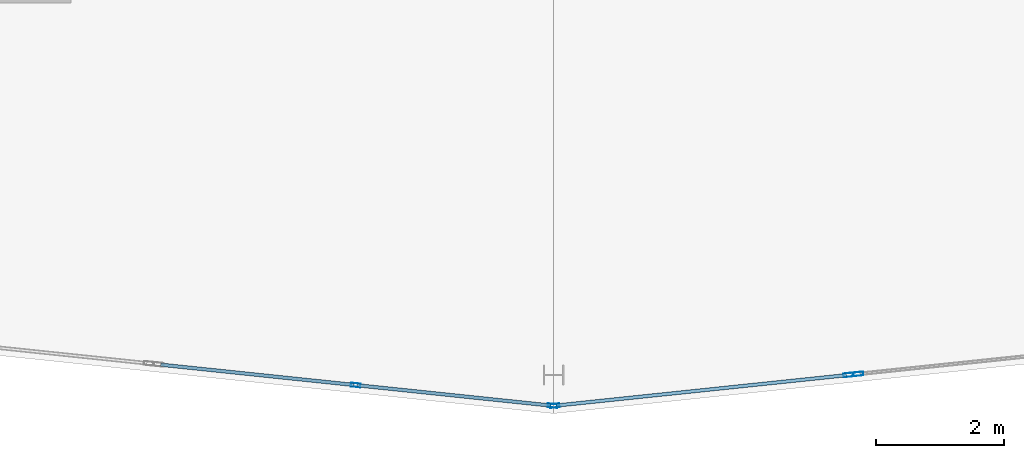
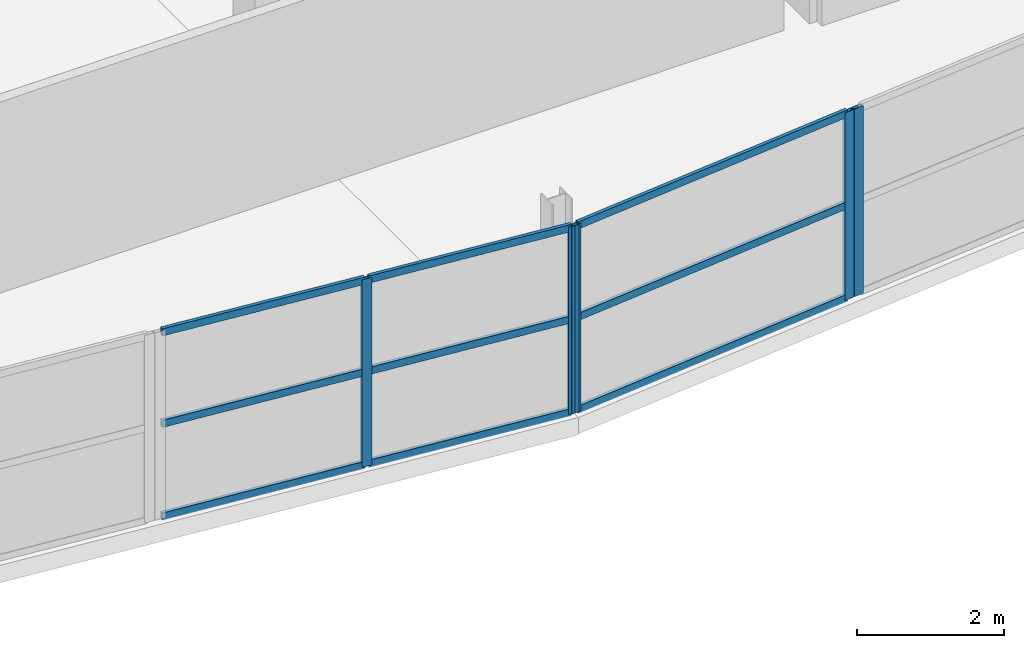
# One storey, part 16 of 35: 14 members, 3 elements without a shape of their own.
"""IFC4 building model written with IfcOpenShell, lengths in metres."""

from ifc_helpers import new_model, si_unit, direction, frame, origin, origin_2d, place, context, subcontext, project, spatial, hollow_rectangle, extrude, material, layer, layer_set, material_profile, profile_set, type_object, element, aggregate, save


model = new_model("IFC4")

# Units and contexts
model_context = context("Model", 3, precision=1e-05, world=origin(), true_north=direction((0.0, 1.0)))
body_context = subcontext(model_context, "Body", "Model", "MODEL_VIEW")
ifc_project = project(units=[si_unit("LENGTHUNIT", "METRE"), si_unit("AREAUNIT", "SQUARE_METRE"), si_unit("VOLUMEUNIT", "CUBIC_METRE"), si_unit("PLANEANGLEUNIT", "RADIAN"), si_unit("MASSUNIT", "GRAM", prefix="KILO")], contexts=[model_context])

# Site, building, storey
site_placement = place(None, origin())
site = spatial("IfcSite", under=ifc_project, at=site_placement, CompositionType="ELEMENT")
building_placement = place(site_placement, origin())
building = spatial("IfcBuilding", under=site, at=building_placement, Name="Kalgoora Escarpment Arena", CompositionType="ELEMENT")
storey_placement = place(building_placement, frame((0.0, 0.0, 23.39990234375)))
storey = spatial("IfcBuildingStorey", under=building, at=storey_placement, Name="L05", CompositionType="ELEMENT", Elevation=23.39990234375)

# Curtain wall, member
ifc_material_1 = material(Name=" Champagne anodised aluminium & double-glazed low-E", Category="aluminium")
ifc_layer_1 = layer(ifc_material_1, 0.162109375)
ifc_layer_set_1 = layer_set([ifc_layer_1], Name="CW-UNIT-13")
curtain_wall_type_1 = type_object("IfcCurtainWallType", Name="CW-UNIT-13", PredefinedType="NOTDEFINED", material=ifc_layer_set_1)
curtain_wall_1_placement = place(storey_placement, origin())
curtain_wall_1 = element("IfcCurtainWall", 1, at=curtain_wall_1_placement, inside=storey, type_object=curtain_wall_type_1, Name="L05 unitised facade curtain wall 192", PredefinedType="NOTDEFINED")
ifc_material_2 = material(Name="Anodised aluminium 6063-T6", Category="aluminium")
ifc_material_profile_1 = material_profile(ifc_material_2, hollow_rectangle(XDim=0.06005859375, YDim=0.14990234375, WallThickness=0.00341796875, at=origin_2d()))
ifc_profile_set_1 = profile_set([ifc_material_profile_1], Name="Anodised aluminium 6063-T6")
member_type_1 = type_object("IfcMemberType", Name="MEM-CW-MULL-150", PredefinedType="MULLION", material=ifc_profile_set_1)
member_1_placement = place(storey_placement, frame((97.15185546875, 7.018310546875, 0.02001953125), z_axis=(0.0, 0.0, 1.0), x_axis=(0.104182310405, -0.994558216596, 0.0)))
member_1 = element("IfcMember", 2, at=member_1_placement, type_object=member_type_1, Name="CW-13 mullion 2", PredefinedType="MULLION", context=body_context, shape_type="SweptSolid", body=[
    extrude(hollow_rectangle(XDim=0.06005859375, YDim=0.14990234375, WallThickness=0.00341796875, at=origin_2d()), origin(), (0.0, 0.0, 1.0), 3.1201171875),
])
aggregate(curtain_wall_1, [member_1])

# Curtain wall, members
ifc_material_3 = material(Name=" Champagne anodised aluminium & double-glazed low-E", Category="aluminium")
ifc_layer_2 = layer(ifc_material_3, 0.166015625)
ifc_layer_set_2 = layer_set([ifc_layer_2], Name="CW-UNIT-14")
curtain_wall_type_2 = type_object("IfcCurtainWallType", Name="CW-UNIT-14", PredefinedType="NOTDEFINED", material=ifc_layer_set_2)
curtain_wall_2_placement = place(storey_placement, origin())
curtain_wall_2 = element("IfcCurtainWall", 3, at=curtain_wall_2_placement, inside=storey, type_object=curtain_wall_type_2, Name="L05 unitised facade curtain wall 193", PredefinedType="NOTDEFINED")
member_2_placement = place(storey_placement, frame((96.99267578125, 7.001708984375, 0.02001953125), z_axis=(0.0, 0.0, 1.0), x_axis=(0.104178772797, -0.994558587162, 0.0)))
member_2 = element("IfcMember", 4, at=member_2_placement, type_object=member_type_1, Name="CW-14 mullion 1", PredefinedType="MULLION", context=body_context, shape_type="SweptSolid", body=[
    extrude(hollow_rectangle(XDim=0.06005859375, YDim=0.14990234375, WallThickness=0.00341796875, at=origin_2d()), origin(), (0.0, 0.0, 1.0), 3.1201171875),
])
member_3_placement = place(storey_placement, frame((92.417236328125, 6.5224609375, 0.02001953125), z_axis=(0.0, 0.0, 1.0), x_axis=(0.104178772797, -0.994558587162, 0.0)))
member_3 = element("IfcMember", 5, at=member_3_placement, type_object=member_type_1, Name="CW-14 mullion 2", PredefinedType="MULLION", context=body_context, shape_type="SweptSolid", body=[
    extrude(hollow_rectangle(XDim=0.06005859375, YDim=0.14990234375, WallThickness=0.00341796875, at=origin_2d()), origin(), (0.0, 0.0, 1.0), 3.1201171875),
])

ifc_material_4 = material(Name=" Champagne anodised aluminium & double-glazed low-E", Category="aluminium")
ifc_layer_3 = layer(ifc_material_4, 0.14990234375)
ifc_layer_set_3 = layer_set([ifc_layer_3], Name="CW-UNIT-15")
curtain_wall_type_3 = type_object("IfcCurtainWallType", Name="CW-UNIT-15", PredefinedType="NOTDEFINED", material=ifc_layer_set_3)
curtain_wall_3_placement = place(storey_placement, origin())
curtain_wall_3 = element("IfcCurtainWall", 6, at=curtain_wall_3_placement, inside=storey, type_object=curtain_wall_type_3, Name="L05 unitised facade curtain wall 194", PredefinedType="NOTDEFINED")
member_4_placement = place(storey_placement, frame((92.382568359375, 6.5224609375, 0.02001953125), z_axis=(0.0, 0.0, 1.0), x_axis=(-0.104184301056, -0.994558008069, 0.0)))
member_4 = element("IfcMember", 7, at=member_4_placement, type_object=member_type_1, Name="CW-15 mullion 1", PredefinedType="MULLION", context=body_context, shape_type="SweptSolid", body=[
    extrude(hollow_rectangle(XDim=0.06005859375, YDim=0.14990234375, WallThickness=0.00341796875, at=origin_2d()), origin(), (0.0, 0.0, 1.0), 3.1201171875),
])
member_5_placement = place(storey_placement, frame((89.314208984375, 6.84375, 0.02001953125), z_axis=(0.0, 0.0, 1.0), x_axis=(-0.104184301056, -0.994558008069, 0.0)))
member_5 = element("IfcMember", 8, at=member_5_placement, type_object=member_type_1, Name="CW-15 mullion 2", PredefinedType="MULLION", context=body_context, shape_type="SweptSolid", body=[
    extrude(hollow_rectangle(XDim=0.06005859375, YDim=0.14990234375, WallThickness=0.00341796875, at=origin_2d()), origin(), (0.0, 0.0, 1.0), 3.1201171875),
])

# Member
ifc_material_5 = material(Name="Anodised aluminium 6063-T6", Category="aluminium")
ifc_material_profile_2 = material_profile(ifc_material_5, hollow_rectangle(XDim=0.054931640625, YDim=0.1201171875, WallThickness=0.003173828125, at=origin_2d()))
ifc_profile_set_2 = profile_set([ifc_material_profile_2], Name="Anodised aluminium 6063-T6")
member_type_2 = type_object("IfcMemberType", Name="MEM-CW-TRAN-120", PredefinedType="USERDEFINED", material=ifc_profile_set_2)
member_6_placement = place(storey_placement, frame((96.962646484375, 6.99853515625, 0.047607421875), z_axis=(-0.994560415666, -0.104161315228, 0.0), x_axis=(0.104161315228, -0.994560415666, 0.0)))
member_6 = element("IfcMember", 9, at=member_6_placement, type_object=member_type_2, Name="CW-14 transom 1.1", ObjectType="TRANSOM", PredefinedType="USERDEFINED", context=body_context, shape_type="SweptSolid", body=[
    extrude(hollow_rectangle(XDim=0.054931640625, YDim=0.1201171875, WallThickness=0.003173828125, at=origin_2d()), origin(), (0.0, 0.0, 1.0), 4.5400390625),
])

member_7_placement = place(storey_placement, frame((96.962646484375, 6.99853515625, 1.590087890625), z_axis=(-0.994560415666, -0.104161315228, 0.0), x_axis=(0.104161315228, -0.994560415666, 0.0)))
member_7 = element("IfcMember", 10, at=member_7_placement, type_object=member_type_2, Name="CW-14 transom 1.2", ObjectType="TRANSOM", PredefinedType="USERDEFINED", context=body_context, shape_type="SweptSolid", body=[
    extrude(hollow_rectangle(XDim=0.054931640625, YDim=0.1201171875, WallThickness=0.003173828125, at=origin_2d()), origin(), (0.0, 0.0, 1.0), 4.5400390625),
])

member_8_placement = place(storey_placement, frame((96.962646484375, 6.99853515625, 3.112548828125), z_axis=(-0.994560415666, -0.104161315228, 0.0), x_axis=(0.104161315228, -0.994560415666, 0.0)))
member_8 = element("IfcMember", 11, at=member_8_placement, type_object=member_type_2, Name="CW-14 transom 1.3", ObjectType="TRANSOM", PredefinedType="USERDEFINED", context=body_context, shape_type="SweptSolid", body=[
    extrude(hollow_rectangle(XDim=0.054931640625, YDim=0.1201171875, WallThickness=0.003173828125, at=origin_2d()), origin(), (0.0, 0.0, 1.0), 4.5400390625),
])

aggregate(curtain_wall_2, [member_2, member_3, member_6, member_7, member_8])

member_9_placement = place(storey_placement, frame((92.352783203125, 6.525634765625, 0.047607421875), z_axis=(-0.994557072619, 0.104193230605, 0.0), x_axis=(-0.104193230605, -0.994557072619, 0.0)))
member_9 = element("IfcMember", 12, at=member_9_placement, type_object=member_type_2, Name="CW-15 transom 1.1", ObjectType="TRANSOM", PredefinedType="USERDEFINED", context=body_context, shape_type="SweptSolid", body=[
    extrude(hollow_rectangle(XDim=0.054931640625, YDim=0.1201171875, WallThickness=0.003173828125, at=origin_2d()), origin(), (0.0, 0.0, 1.0), 3.02490234375),
])

member_10_placement = place(storey_placement, frame((92.352783203125, 6.525634765625, 1.590087890625), z_axis=(-0.994557072619, 0.104193230605, 0.0), x_axis=(-0.104193230605, -0.994557072619, 0.0)))
member_10 = element("IfcMember", 13, at=member_10_placement, type_object=member_type_2, Name="CW-15 transom 1.2", ObjectType="TRANSOM", PredefinedType="USERDEFINED", context=body_context, shape_type="SweptSolid", body=[
    extrude(hollow_rectangle(XDim=0.054931640625, YDim=0.1201171875, WallThickness=0.003173828125, at=origin_2d()), origin(), (0.0, 0.0, 1.0), 3.02490234375),
])

member_11_placement = place(storey_placement, frame((92.352783203125, 6.525634765625, 3.112548828125), z_axis=(-0.994557072619, 0.104193230605, 0.0), x_axis=(-0.104193230605, -0.994557072619, 0.0)))
member_11 = element("IfcMember", 14, at=member_11_placement, type_object=member_type_2, Name="CW-15 transom 1.3", ObjectType="TRANSOM", PredefinedType="USERDEFINED", context=body_context, shape_type="SweptSolid", body=[
    extrude(hollow_rectangle(XDim=0.054931640625, YDim=0.1201171875, WallThickness=0.003173828125, at=origin_2d()), origin(), (0.0, 0.0, 1.0), 3.02490234375),
])

member_12_placement = place(storey_placement, frame((89.284423828125, 6.846923828125, 0.047607421875), z_axis=(-0.994557072619, 0.104193230605, 0.0), x_axis=(-0.104193230605, -0.994557072619, 0.0)))
member_12 = element("IfcMember", 15, at=member_12_placement, type_object=member_type_2, Name="CW-15 transom 2.1", ObjectType="TRANSOM", PredefinedType="USERDEFINED", context=body_context, shape_type="SweptSolid", body=[
    extrude(hollow_rectangle(XDim=0.054931640625, YDim=0.1201171875, WallThickness=0.003173828125, at=origin_2d()), origin(), (0.0, 0.0, 1.0), 3.02490234375),
])

member_13_placement = place(storey_placement, frame((89.284423828125, 6.846923828125, 1.590087890625), z_axis=(-0.994557072619, 0.104193230605, 0.0), x_axis=(-0.104193230605, -0.994557072619, 0.0)))
member_13 = element("IfcMember", 16, at=member_13_placement, type_object=member_type_2, Name="CW-15 transom 2.2", ObjectType="TRANSOM", PredefinedType="USERDEFINED", context=body_context, shape_type="SweptSolid", body=[
    extrude(hollow_rectangle(XDim=0.054931640625, YDim=0.1201171875, WallThickness=0.003173828125, at=origin_2d()), origin(), (0.0, 0.0, 1.0), 3.02490234375),
])

member_14_placement = place(storey_placement, frame((89.284423828125, 6.846923828125, 3.112548828125), z_axis=(-0.994557072619, 0.104193230605, 0.0), x_axis=(-0.104193230605, -0.994557072619, 0.0)))
member_14 = element("IfcMember", 17, at=member_14_placement, type_object=member_type_2, Name="CW-15 transom 2.3", ObjectType="TRANSOM", PredefinedType="USERDEFINED", context=body_context, shape_type="SweptSolid", body=[
    extrude(hollow_rectangle(XDim=0.054931640625, YDim=0.1201171875, WallThickness=0.003173828125, at=origin_2d()), origin(), (0.0, 0.0, 1.0), 3.02490234375),
])

aggregate(curtain_wall_3, [member_4, member_5, member_9, member_10, member_11, member_12, member_13, member_14])

save(model, "model.ifc")
